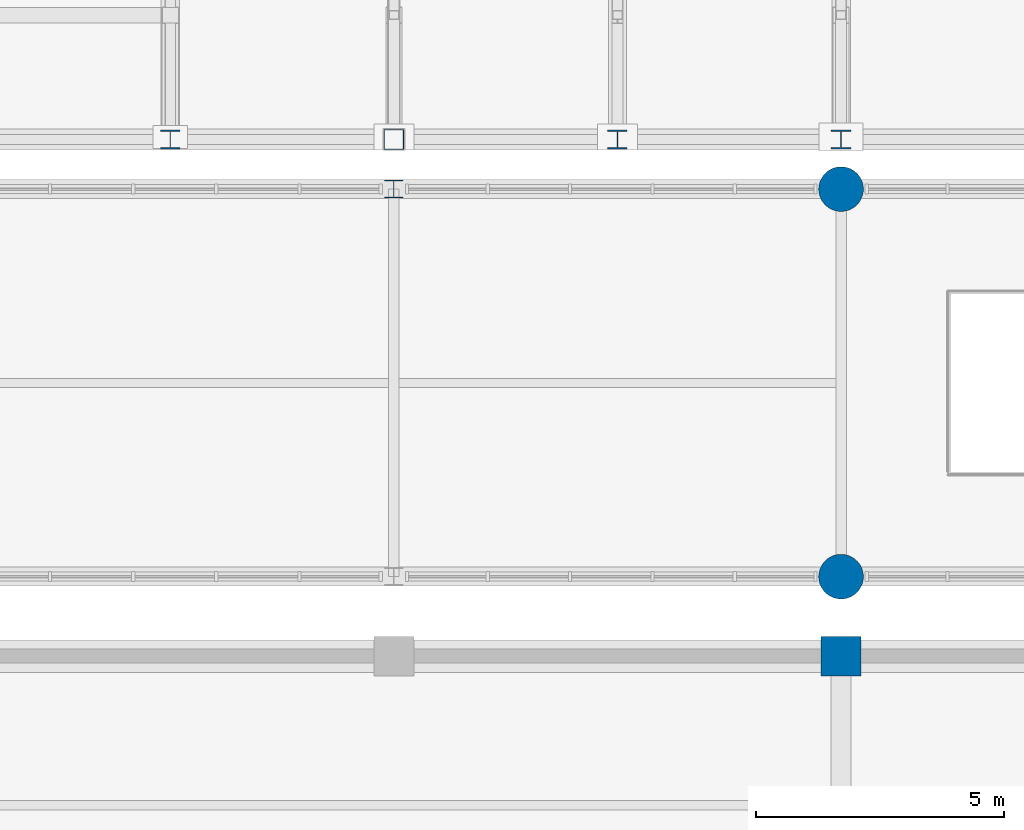
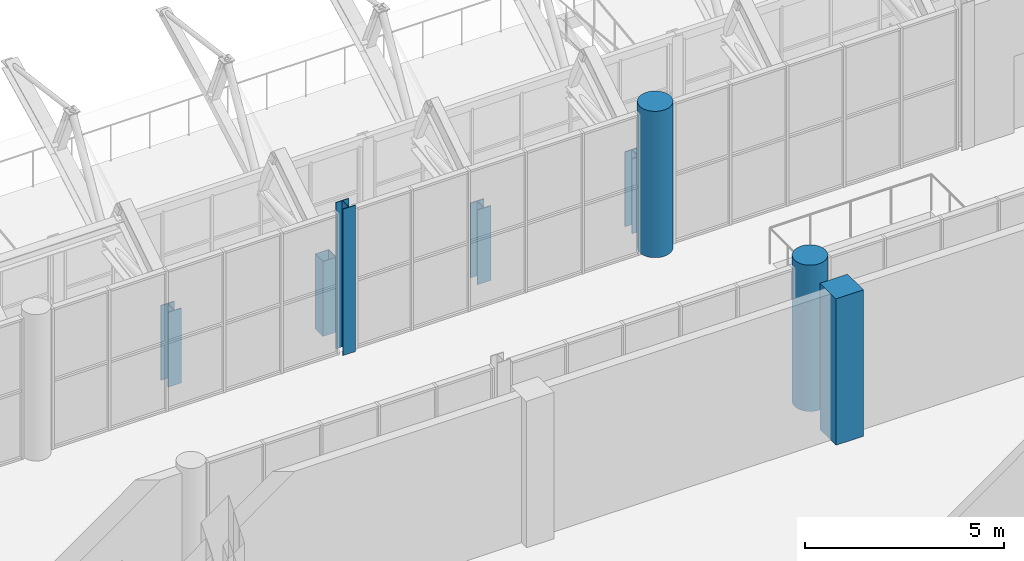
# One storey, part 7 of 134: 8 columns.
"""IFC4 building model written with IfcOpenShell, lengths in metres."""

from ifc_helpers import new_model, si_unit, direction, frame, origin, origin_2d, place, context, subcontext, project, spatial, rectangle, hollow_rectangle, circle, i_section, extrude, material, material_profile, profile_set, type_object, element, save


model = new_model("IFC4")

# Units and contexts
model_context = context("Model", 3, precision=1e-05, world=origin(), true_north=direction((0.0, 1.0)))
body_context = subcontext(model_context, "Body", "Model", "MODEL_VIEW")
ifc_project = project(units=[si_unit("LENGTHUNIT", "METRE"), si_unit("AREAUNIT", "SQUARE_METRE"), si_unit("VOLUMEUNIT", "CUBIC_METRE"), si_unit("PLANEANGLEUNIT", "RADIAN"), si_unit("MASSUNIT", "GRAM", prefix="KILO")], contexts=[model_context])

# Site, building, storey
site_placement = place(None, origin())
site = spatial("IfcSite", under=ifc_project, at=site_placement, CompositionType="ELEMENT")
building_placement = place(site_placement, origin())
building = spatial("IfcBuilding", under=site, at=building_placement, Name="Cazmaro Siding Exhibition Halls", CompositionType="ELEMENT")
storey_placement = place(building_placement, frame((0.0, 0.0, 12.0)))
storey = spatial("IfcBuildingStorey", under=building, at=storey_placement, Name="L02", CompositionType="ELEMENT", Elevation=12.0)

# Columns
ifc_material_1 = material(Name="Steel ASTM A992 Grade 50", Category="steel")
ifc_material_profile_1 = material_profile(ifc_material_1, i_section(OverallWidth=0.39208984375, OverallDepth=0.3759765625, WebThickness=0.01708984375, FlangeThickness=0.028076171875, at=origin_2d()), Name="W14X145")
ifc_profile_set_1 = profile_set([ifc_material_profile_1], Name="Steel ASTM A992 Grade 50")
column_type_1 = type_object("IfcColumnType", Name="C-03", PredefinedType="COLUMN", material=ifc_profile_set_1)
for number, where, z_axis, x_axis, name in (
    (1, (112.5, 64.0, 0.0), (0.0, 0.0, 1.0), (1.0, 0.0, 0.0), "Column C-03 COL-0093"),
    (2, (121.5, 64.0, 0.0), (0.0, 0.0, 1.0), (1.0, 0.0, 0.0), "Column C-03 COL-0105"),
):
    element("IfcColumn", number, at=place(storey_placement, frame(where, z_axis=z_axis, x_axis=x_axis)), inside=storey, type_object=column_type_1, Name=name, PredefinedType="COLUMN", context=body_context, shape_type="SweptSolid", body=[
        extrude(i_section(OverallWidth=0.39208984375, OverallDepth=0.3759765625, WebThickness=0.01708984375, FlangeThickness=0.028076171875, at=origin_2d()), origin(), (0.0, 0.0, 1.0), 2.300048828125),
    ])
ifc_material_2 = material(Name="Concrete f'c 45 MPa", Category="concrete")
ifc_material_profile_2 = material_profile(ifc_material_2, rectangle(XDim=0.800048828125, YDim=0.800048828125, at=origin_2d()), Name="RC800X800")
ifc_profile_set_2 = profile_set([ifc_material_profile_2], Name="Concrete f'c 45 MPa")
column_type_2 = type_object("IfcColumnType", Name="C-08", PredefinedType="COLUMN", material=ifc_profile_set_2)
column_1_placement = place(storey_placement, frame((126.0, 53.60009765625, 0.0), z_axis=(0.0, 0.0, 1.0), x_axis=(1.0, 0.0, 0.0)))
element("IfcColumn", 3, at=column_1_placement, inside=storey, type_object=column_type_2, Name="Column C-08 COL-0603", PredefinedType="COLUMN", context=body_context, shape_type="SweptSolid", body=[
    extrude(rectangle(XDim=0.800048828125, YDim=0.800048828125, at=origin_2d()), origin(), (0.0, 0.0, 1.0), 4.5),
])
ifc_material_3 = material(Name="Concrete f'c 45 MPa", Category="concrete")
ifc_material_profile_3 = material_profile(ifc_material_3, circle(Radius=0.449951171875, at=origin_2d()), Name="RC900DIA")
ifc_profile_set_3 = profile_set([ifc_material_profile_3], Name="Concrete f'c 45 MPa")
column_type_3 = type_object("IfcColumnType", Name="C-09", PredefinedType="COLUMN", material=ifc_profile_set_3)
for number, where, z_axis, x_axis, name in (
    (4, (126.0, 55.199951171875, 0.0), (0.0, 0.0, 1.0), (1.0, 0.0, 0.0), "Column C-09 COL-0767"),
    (5, (126.0, 63.0, 0.0), (0.0, 0.0, 1.0), (1.0, 0.0, 0.0), "Column C-09 COL-0770"),
):
    element("IfcColumn", number, at=place(storey_placement, frame(where, z_axis=z_axis, x_axis=x_axis)), inside=storey, type_object=column_type_3, Name=name, PredefinedType="COLUMN", context=body_context, shape_type="SweptSolid", body=[
        extrude(circle(Radius=0.449951171875, at=origin_2d()), origin(), (0.0, 0.0, 1.0), 4.5),
    ])
ifc_material_4 = material(Name="Steel ASTM A992 Grade 50", Category="steel")
ifc_material_profile_4 = material_profile(ifc_material_4, i_section(OverallWidth=0.39892578125, OverallDepth=0.386962890625, WebThickness=0.02099609375, FlangeThickness=0.032958984375, at=origin_2d()), Name="W14X176")
ifc_profile_set_4 = profile_set([ifc_material_profile_4], Name="Steel ASTM A992 Grade 50")
column_type_4 = type_object("IfcColumnType", Name="C-11", PredefinedType="COLUMN", material=ifc_profile_set_4)
column_2_placement = place(storey_placement, frame((126.0, 64.0, 0.0), z_axis=(0.0, 0.0, 1.0), x_axis=(1.0, 0.0, 0.0)))
element("IfcColumn", 6, at=column_2_placement, inside=storey, type_object=column_type_4, Name="Column C-11 COL-0111", PredefinedType="COLUMN", context=body_context, shape_type="SweptSolid", body=[
    extrude(i_section(OverallWidth=0.39892578125, OverallDepth=0.386962890625, WebThickness=0.02099609375, FlangeThickness=0.032958984375, at=origin_2d()), origin(), (0.0, 0.0, 1.0), 2.300048828125),
])
ifc_material_5 = material(Name="Steel ASTM A992 Grade 50", Category="steel")
ifc_material_profile_5 = material_profile(ifc_material_5, i_section(OverallWidth=0.37109375, OverallDepth=0.364013671875, WebThickness=0.012939453125, FlangeThickness=0.02197265625, at=origin_2d()), Name="W14X109")
ifc_profile_set_5 = profile_set([ifc_material_profile_5], Name="Steel ASTM A992 Grade 50")
column_type_5 = type_object("IfcColumnType", Name="C-12", PredefinedType="COLUMN", material=ifc_profile_set_5)
column_3_placement = place(storey_placement, frame((117.0, 63.0, 0.0), z_axis=(0.0, 0.0, 1.0), x_axis=(1.0, 0.0, 0.0)))
element("IfcColumn", 7, at=column_3_placement, inside=storey, type_object=column_type_5, Name="Column C-12 COL-0764", PredefinedType="COLUMN", context=body_context, shape_type="SweptSolid", body=[
    extrude(i_section(OverallWidth=0.37109375, OverallDepth=0.364013671875, WebThickness=0.012939453125, FlangeThickness=0.02197265625, at=origin_2d()), origin(), (0.0, 0.0, 1.0), 4.5),
])
ifc_material_6 = material(Name="Steel ASTM A500 Grade C", Category="steel")
ifc_material_profile_6 = material_profile(ifc_material_6, hollow_rectangle(XDim=0.406005859375, YDim=0.406005859375, WallThickness=0.014892578125, at=origin_2d()), Name="HSS16X16X5/8")
ifc_profile_set_6 = profile_set([ifc_material_profile_6], Name="Steel ASTM A500 Grade C")
column_type_6 = type_object("IfcColumnType", Name="PL-01", PredefinedType="PILASTER", material=ifc_profile_set_6)
column_4_placement = place(storey_placement, frame((117.0, 64.0, 0.0), z_axis=(0.0, 0.0, 1.0), x_axis=(1.0, 0.0, 0.0)))
element("IfcColumn", 8, at=column_4_placement, inside=storey, type_object=column_type_6, Name="Column PL-01 COL-0099", PredefinedType="PILASTER", context=body_context, shape_type="SweptSolid", body=[
    extrude(hollow_rectangle(XDim=0.406005859375, YDim=0.406005859375, WallThickness=0.014892578125, at=origin_2d()), origin(), (0.0, 0.0, 1.0), 2.300048828125),
])

save(model, "model.ifc")
